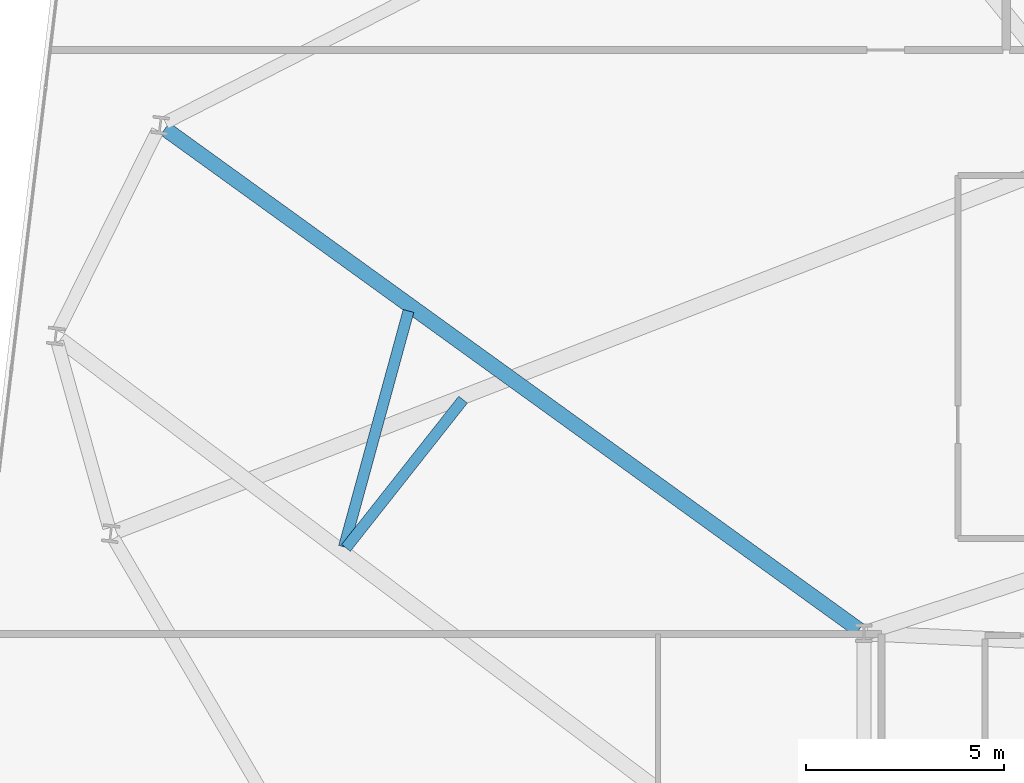
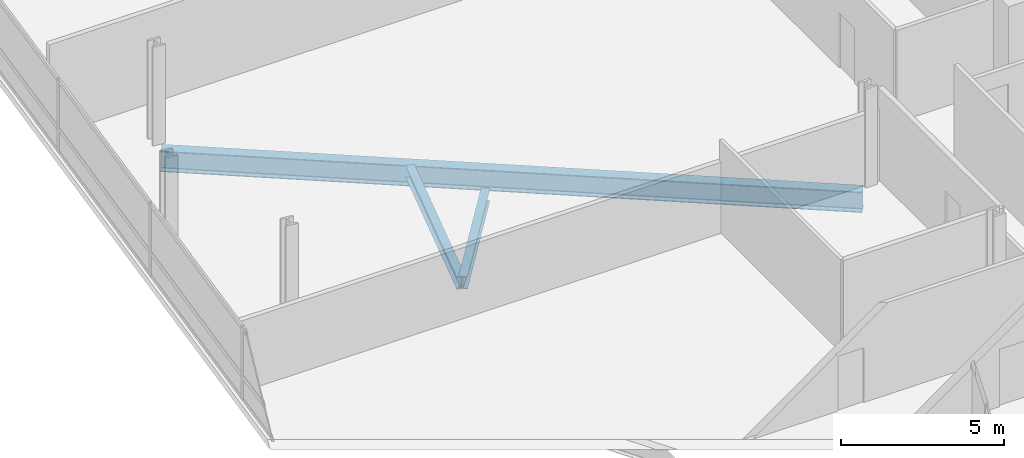
# One storey, part 9 of 25: 3 beams.
"""IFC4 building model written with IfcOpenShell, lengths in metres."""

from ifc_helpers import new_model, si_unit, direction, frame, origin, origin_2d, place, context, subcontext, project, spatial, i_section, extrude, material, material_profile, profile_set, type_object, element, save


model = new_model("IFC4")

# Units and contexts
model_context = context("Model", 3, precision=1e-05, world=origin(), true_north=direction((0.0, 1.0)))
body_context = subcontext(model_context, "Body", "Model", "MODEL_VIEW")
ifc_project = project(units=[si_unit("LENGTHUNIT", "METRE"), si_unit("AREAUNIT", "SQUARE_METRE"), si_unit("VOLUMEUNIT", "CUBIC_METRE"), si_unit("PLANEANGLEUNIT", "RADIAN"), si_unit("MASSUNIT", "GRAM", prefix="KILO")], contexts=[model_context])

# Site, building, storey
site_placement = place(None, origin())
site = spatial("IfcSite", under=ifc_project, at=site_placement, CompositionType="ELEMENT")
building_placement = place(site_placement, origin())
building = spatial("IfcBuilding", under=site, at=building_placement, Name="Varnelok Gate Tower", CompositionType="ELEMENT")
storey_placement = place(building_placement, frame((0.0, 0.0, 136.5)))
storey = spatial("IfcBuildingStorey", under=building, at=storey_placement, Name="L34", CompositionType="ELEMENT", Elevation=136.5)

# Beams
ifc_material = material(Name="Structural Steel ASTM A992 Grade 50", Category="steel")
ifc_material_profile_1 = material_profile(ifc_material, i_section(OverallWidth=0.280029296875, OverallDepth=0.462890625, WebThickness=0.0107421875, FlangeThickness=0.017333984375, FilletRadius=0.014892578125, at=origin_2d()), Name="W18X76")
ifc_profile_set_1 = profile_set([ifc_material_profile_1], Name="Structural Steel ASTM A992 Grade 50")
beam_type_1 = type_object("IfcBeamType", Name="BM-JST-W18X76", PredefinedType="JOIST", material=ifc_profile_set_1)
beam_1_placement = place(storey_placement, frame((12.88671875, 34.83056640625, -0.4814453125), z_axis=(-0.263665179127, -0.96461426141, 0.0), x_axis=(0.96461426141, -0.263665179127, 0.0)))
element("IfcBeam", 1, at=beam_1_placement, inside=storey, type_object=beam_type_1, Name="L34 Sector Floor Joist 11", PredefinedType="JOIST", context=body_context, shape_type="SweptSolid", body=[
    extrude(i_section(OverallWidth=0.280029296875, OverallDepth=0.462890625, WebThickness=0.0107421875, FlangeThickness=0.017333984375, FilletRadius=0.014892578125, at=origin_2d()), origin(), (0.0, 0.0, 1.0), 6.184326171875),
])
beam_2_placement = place(storey_placement, frame((11.305908203125, 28.839599609375, -0.4814453125), z_axis=(0.619776866324, 0.784778080715, 0.0), x_axis=(-0.784778080715, 0.619776866324, 0.0)))
element("IfcBeam", 2, at=beam_2_placement, inside=storey, type_object=beam_type_1, Name="L34 Sector Floor Joist 12", PredefinedType="JOIST", context=body_context, shape_type="SweptSolid", body=[
    extrude(i_section(OverallWidth=0.280029296875, OverallDepth=0.462890625, WebThickness=0.0107421875, FlangeThickness=0.017333984375, FilletRadius=0.014892578125, at=origin_2d()), origin(), (0.0, 0.0, 1.0), 4.776123046875),
])
ifc_material_profile_2 = material_profile(ifc_material, i_section(OverallWidth=0.381103515625, OverallDepth=0.77294921875, WebThickness=0.0166015625, FlangeThickness=0.027099609375, FilletRadius=0.02197265625, at=origin_2d()), Name="W30X173")
ifc_profile_set_2 = profile_set([ifc_material_profile_2], Name="Structural Steel ASTM A992 Grade 50")
beam_type_2 = type_object("IfcBeamType", Name="BM-PRI-W30X173", PredefinedType="BEAM", material=ifc_profile_set_2)
beam_3_placement = place(storey_placement, frame((24.2783203125, 26.767822265625, -0.636474609375), z_axis=(-0.810778258155, 0.585353411286, 0.0), x_axis=(-0.585353411286, -0.810778258155, 0.0)))
element("IfcBeam", 3, at=beam_3_placement, inside=storey, type_object=beam_type_2, Name="L34 Radial Floor Girder 14", PredefinedType="BEAM", context=body_context, shape_type="SweptSolid", body=[
    extrude(i_section(OverallWidth=0.381103515625, OverallDepth=0.77294921875, WebThickness=0.0166015625, FlangeThickness=0.027099609375, FilletRadius=0.02197265625, at=origin_2d()), origin(), (0.0, 0.0, 1.0), 21.645263671875),
])

save(model, "model.ifc")
